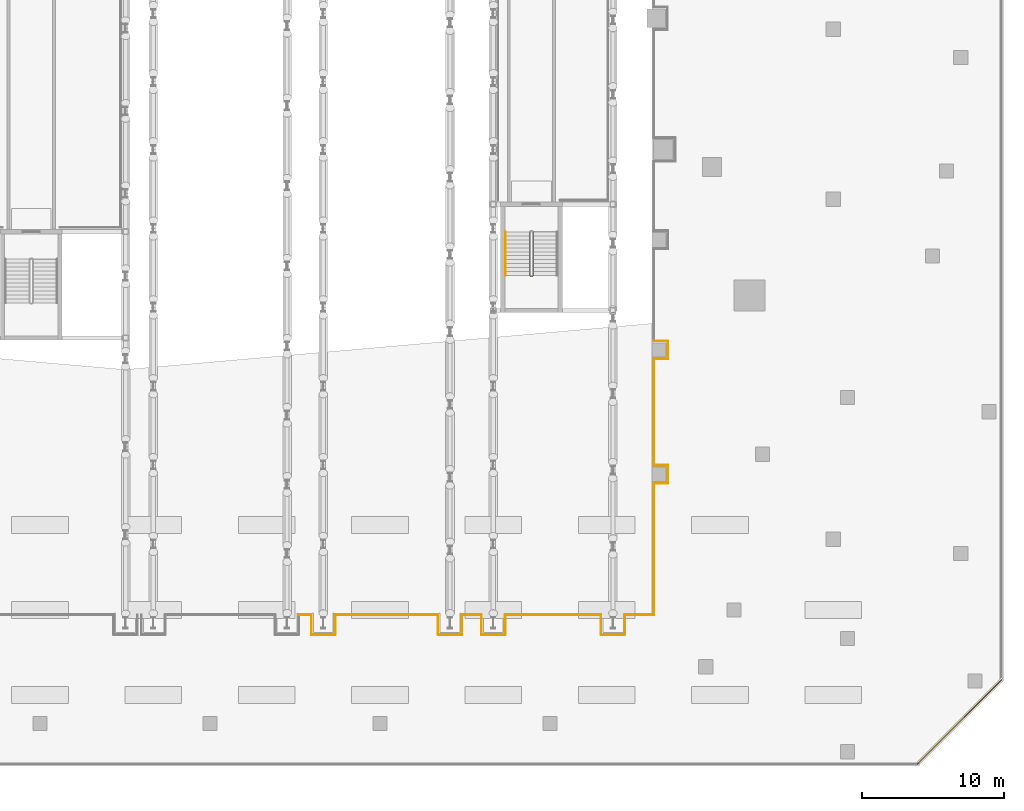
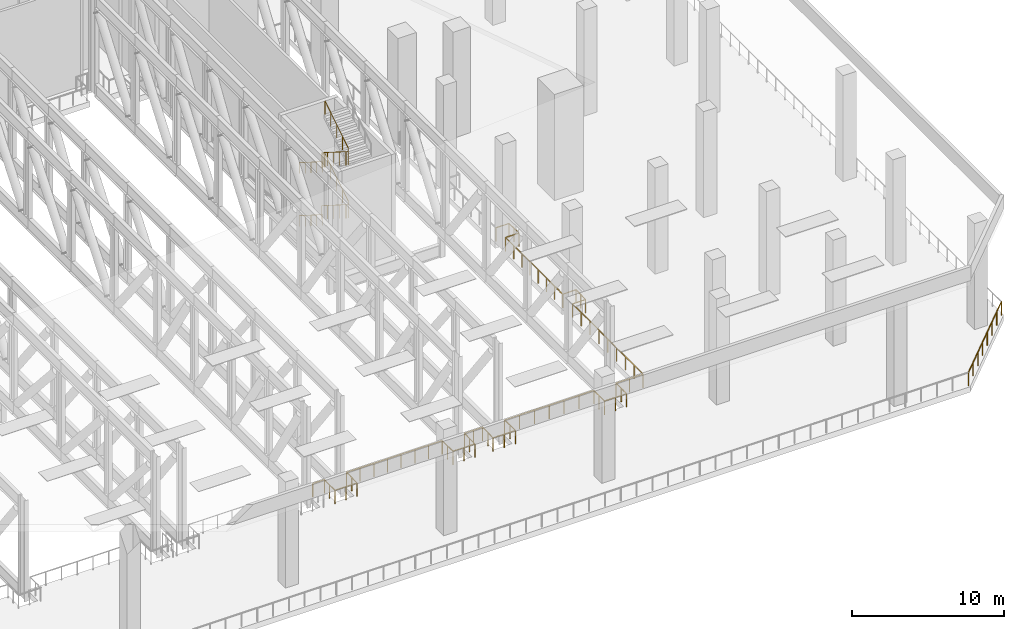
# One storey, part 26 of 33: 29 railings.
"""IFC4 building model written with IfcOpenShell, lengths in metres."""

from ifc_helpers import new_model, si_unit, direction, frame, origin, origin_2d, place, context, subcontext, project, spatial, circle, extrude, material, type_object, element, save


model = new_model("IFC4")

# Units and contexts
model_context = context("Model", 3, precision=1e-05, world=origin(), true_north=direction((0.0, 1.0)))
body_context = subcontext(model_context, "Body", "Model", "MODEL_VIEW")
ifc_project = project(units=[si_unit("LENGTHUNIT", "METRE"), si_unit("AREAUNIT", "SQUARE_METRE"), si_unit("VOLUMEUNIT", "CUBIC_METRE"), si_unit("PLANEANGLEUNIT", "RADIAN"), si_unit("MASSUNIT", "GRAM", prefix="KILO")], contexts=[model_context])

# Site, building, storey
site_placement = place(None, origin())
site = spatial("IfcSite", under=ifc_project, at=site_placement, CompositionType="ELEMENT")
building_placement = place(site_placement, origin())
building = spatial("IfcBuilding", under=site, at=building_placement, Name="Wharfspan Tower", CompositionType="ELEMENT")
storey_placement = place(building_placement, frame((0.0, 0.0, 33.0)))
storey = spatial("IfcBuildingStorey", under=building, at=storey_placement, Name="L05", CompositionType="ELEMENT", Elevation=33.0)

# Railings
ifc_material = material(Name="Steel S355J2", Category="steel")
railing_type_1 = type_object("IfcRailingType", Name="GUARD 1100 STEEL AND GLASS", PredefinedType="GUARDRAIL", material=ifc_material)
railing_1_placement = place(storey_placement, frame((107.860107, -25.941895, 0.0)))
element("IfcRailing", 1, at=railing_1_placement, inside=storey, type_object=railing_type_1, Name="Guard on the deck edge", PredefinedType="GUARDRAIL", context=body_context, shape_type="SweptSolid", body=[
    extrude(circle(Radius=0.024902, at=origin_2d()), frame((0.0, 0.0, 1.075195), z_axis=(-0.707107, -0.707107, 0.0), x_axis=(0.707107, -0.707107, 0.0)), (0.0, 0.0, 1.0), 8.369629),
    extrude(circle(Radius=0.02002, at=origin_2d()), origin(), (0.0, 0.0, 1.0), 1.050049),
    extrude(circle(Radius=0.02002, at=origin_2d()), frame((-0.845459, -0.845459, 0.0)), (0.0, 0.0, 1.0), 1.050049),
    extrude(circle(Radius=0.02002, at=origin_2d()), frame((-1.690918, -1.690918, 0.0)), (0.0, 0.0, 1.0), 1.050049),
    extrude(circle(Radius=0.02002, at=origin_2d()), frame((-2.536377, -2.536377, 0.0)), (0.0, 0.0, 1.0), 1.050049),
    extrude(circle(Radius=0.02002, at=origin_2d()), frame((-3.381836, -3.381836, 0.0)), (0.0, 0.0, 1.0), 1.050049),
    extrude(circle(Radius=0.02002, at=origin_2d()), frame((-4.227295, -4.227295, 0.0)), (0.0, 0.0, 1.0), 1.050049),
    extrude(circle(Radius=0.02002, at=origin_2d()), frame((-5.072754, -5.072754, 0.0)), (0.0, 0.0, 1.0), 1.050049),
    extrude(circle(Radius=0.02002, at=origin_2d()), frame((-5.918213, -5.918213, 0.0)), (0.0, 0.0, 1.0), 1.050049),
])
railing_2_placement = place(storey_placement, frame((58.281982, -21.340088, 0.0)))
element("IfcRailing", 2, at=railing_2_placement, inside=storey, type_object=railing_type_1, Name="Guard on the deck edge", PredefinedType="GUARDRAIL", context=body_context, shape_type="SweptSolid", body=[
    extrude(circle(Radius=0.024902, at=origin_2d()), frame((0.0, 0.0, 1.075195), z_axis=(1.0, 0.0, 0.0), x_axis=(0.0, 1.0, 0.0)), (0.0, 0.0, 1.0), 0.87793),
    extrude(circle(Radius=0.02002, at=origin_2d()), origin(), (0.0, 0.0, 1.0), 1.050049),
    extrude(circle(Radius=0.02002, at=origin_2d()), frame((0.87793, 0.0, 0.0)), (0.0, 0.0, 1.0), 1.050049),
])
railing_3_placement = place(storey_placement, frame((59.159912, -21.340088, 0.0)))
element("IfcRailing", 3, at=railing_3_placement, inside=storey, type_object=railing_type_1, Name="Guard on the deck edge", PredefinedType="GUARDRAIL", context=body_context, shape_type="SweptSolid", body=[
    extrude(circle(Radius=0.024902, at=origin_2d()), frame((0.0, 0.0, 1.075195), z_axis=(0.0, -1.0, 0.0), x_axis=(1.0, 0.0, 0.0)), (0.0, 0.0, 1.0), 1.399902),
    extrude(circle(Radius=0.02002, at=origin_2d()), origin(), (0.0, 0.0, 1.0), 1.050049),
    extrude(circle(Radius=0.02002, at=origin_2d()), frame((0.0, -0.699951, 0.0)), (0.0, 0.0, 1.0), 1.050049),
    extrude(circle(Radius=0.02002, at=origin_2d()), frame((0.0, -1.399902, 0.0)), (0.0, 0.0, 1.0), 1.050049),
])
railing_4_placement = place(storey_placement, frame((59.159912, -22.73999, 0.0)))
element("IfcRailing", 4, at=railing_4_placement, inside=storey, type_object=railing_type_1, Name="Guard on the deck edge", PredefinedType="GUARDRAIL", context=body_context, shape_type="SweptSolid", body=[
    extrude(circle(Radius=0.024902, at=origin_2d()), frame((0.0, 0.0, 1.075195), z_axis=(1.0, 0.0, 0.0), x_axis=(0.0, 1.0, 0.0)), (0.0, 0.0, 1.0), 1.680176),
    extrude(circle(Radius=0.02002, at=origin_2d()), origin(), (0.0, 0.0, 1.0), 1.050049),
    extrude(circle(Radius=0.02002, at=origin_2d()), frame((0.840088, 0.0, 0.0)), (0.0, 0.0, 1.0), 1.050049),
    extrude(circle(Radius=0.02002, at=origin_2d()), frame((1.680176, 0.0, 0.0)), (0.0, 0.0, 1.0), 1.050049),
])
railing_5_placement = place(storey_placement, frame((60.840088, -22.73999, 0.0)))
element("IfcRailing", 5, at=railing_5_placement, inside=storey, type_object=railing_type_1, Name="Guard on the deck edge", PredefinedType="GUARDRAIL", context=body_context, shape_type="SweptSolid", body=[
    extrude(circle(Radius=0.024902, at=origin_2d()), frame((0.0, 0.0, 1.075195), z_axis=(0.0, 1.0, 0.0), x_axis=(-1.0, 0.0, 0.0)), (0.0, 0.0, 1.0), 1.399902),
    extrude(circle(Radius=0.02002, at=origin_2d()), origin(), (0.0, 0.0, 1.0), 1.050049),
    extrude(circle(Radius=0.02002, at=origin_2d()), frame((0.0, 0.699951, 0.0)), (0.0, 0.0, 1.0), 1.050049),
    extrude(circle(Radius=0.02002, at=origin_2d()), frame((0.0, 1.399902, 0.0)), (0.0, 0.0, 1.0), 1.050049),
])
railing_6_placement = place(storey_placement, frame((60.840088, -21.340088, 0.0)))
element("IfcRailing", 6, at=railing_6_placement, inside=storey, type_object=railing_type_1, Name="Guard on the deck edge", PredefinedType="GUARDRAIL", context=body_context, shape_type="SweptSolid", body=[
    extrude(circle(Radius=0.024902, at=origin_2d()), frame((0.0, 0.0, 1.075195), z_axis=(1.0, 0.0, 0.0), x_axis=(0.0, 1.0, 0.0)), (0.0, 0.0, 1.0), 7.261963),
    extrude(circle(Radius=0.02002, at=origin_2d()), origin(), (0.0, 0.0, 1.0), 1.050049),
    extrude(circle(Radius=0.02002, at=origin_2d()), frame((1.037354, 0.0, 0.0)), (0.0, 0.0, 1.0), 1.050049),
    extrude(circle(Radius=0.02002, at=origin_2d()), frame((2.074951, 0.0, 0.0)), (0.0, 0.0, 1.0), 1.050049),
    extrude(circle(Radius=0.02002, at=origin_2d()), frame((3.112305, 0.0, 0.0)), (0.0, 0.0, 1.0), 1.050049),
    extrude(circle(Radius=0.02002, at=origin_2d()), frame((4.149658, 0.0, 0.0)), (0.0, 0.0, 1.0), 1.050049),
    extrude(circle(Radius=0.02002, at=origin_2d()), frame((5.187012, 0.0, 0.0)), (0.0, 0.0, 1.0), 1.050049),
    extrude(circle(Radius=0.02002, at=origin_2d()), frame((6.224609, 0.0, 0.0)), (0.0, 0.0, 1.0), 1.050049),
    extrude(circle(Radius=0.02002, at=origin_2d()), frame((7.261963, 0.0, 0.0)), (0.0, 0.0, 1.0), 1.050049),
])
railing_7_placement = place(storey_placement, frame((68.102051, -21.340088, 0.0)))
element("IfcRailing", 7, at=railing_7_placement, inside=storey, type_object=railing_type_1, Name="Guard on the deck edge", PredefinedType="GUARDRAIL", context=body_context, shape_type="SweptSolid", body=[
    extrude(circle(Radius=0.024902, at=origin_2d()), frame((0.0, 0.0, 1.075195), z_axis=(0.0, -1.0, 0.0), x_axis=(1.0, 0.0, 0.0)), (0.0, 0.0, 1.0), 1.399902),
    extrude(circle(Radius=0.02002, at=origin_2d()), origin(), (0.0, 0.0, 1.0), 1.050049),
    extrude(circle(Radius=0.02002, at=origin_2d()), frame((0.0, -0.699951, 0.0)), (0.0, 0.0, 1.0), 1.050049),
    extrude(circle(Radius=0.02002, at=origin_2d()), frame((0.0, -1.399902, 0.0)), (0.0, 0.0, 1.0), 1.050049),
])
railing_8_placement = place(storey_placement, frame((68.102051, -22.73999, 0.0)))
element("IfcRailing", 8, at=railing_8_placement, inside=storey, type_object=railing_type_1, Name="Guard on the deck edge", PredefinedType="GUARDRAIL", context=body_context, shape_type="SweptSolid", body=[
    extrude(circle(Radius=0.024902, at=origin_2d()), frame((0.0, 0.0, 1.075195), z_axis=(1.0, 0.0, 0.0), x_axis=(0.0, 1.0, 0.0)), (0.0, 0.0, 1.0), 1.679932),
    extrude(circle(Radius=0.02002, at=origin_2d()), origin(), (0.0, 0.0, 1.0), 1.050049),
    extrude(circle(Radius=0.02002, at=origin_2d()), frame((0.839844, 0.0, 0.0)), (0.0, 0.0, 1.0), 1.050049),
    extrude(circle(Radius=0.02002, at=origin_2d()), frame((1.679932, 0.0, 0.0)), (0.0, 0.0, 1.0), 1.050049),
])
railing_9_placement = place(storey_placement, frame((69.781982, -22.73999, 0.0)))
element("IfcRailing", 9, at=railing_9_placement, inside=storey, type_object=railing_type_1, Name="Guard on the deck edge", PredefinedType="GUARDRAIL", context=body_context, shape_type="SweptSolid", body=[
    extrude(circle(Radius=0.024902, at=origin_2d()), frame((0.0, 0.0, 1.075195), z_axis=(0.0, 1.0, 0.0), x_axis=(-1.0, 0.0, 0.0)), (0.0, 0.0, 1.0), 1.399902),
    extrude(circle(Radius=0.02002, at=origin_2d()), origin(), (0.0, 0.0, 1.0), 1.050049),
    extrude(circle(Radius=0.02002, at=origin_2d()), frame((0.0, 0.699951, 0.0)), (0.0, 0.0, 1.0), 1.050049),
    extrude(circle(Radius=0.02002, at=origin_2d()), frame((0.0, 1.399902, 0.0)), (0.0, 0.0, 1.0), 1.050049),
])
railing_10_placement = place(storey_placement, frame((69.781982, -21.340088, 0.0)))
element("IfcRailing", 10, at=railing_10_placement, inside=storey, type_object=railing_type_1, Name="Guard on the deck edge", PredefinedType="GUARDRAIL", context=body_context, shape_type="SweptSolid", body=[
    extrude(circle(Radius=0.024902, at=origin_2d()), frame((0.0, 0.0, 1.075195), z_axis=(1.0, 0.0, 0.0), x_axis=(0.0, 1.0, 0.0)), (0.0, 0.0, 1.0), 1.37793),
    extrude(circle(Radius=0.02002, at=origin_2d()), origin(), (0.0, 0.0, 1.0), 1.050049),
    extrude(circle(Radius=0.02002, at=origin_2d()), frame((0.688965, 0.0, 0.0)), (0.0, 0.0, 1.0), 1.050049),
    extrude(circle(Radius=0.02002, at=origin_2d()), frame((1.37793, 0.0, 0.0)), (0.0, 0.0, 1.0), 1.050049),
])
railing_11_placement = place(storey_placement, frame((71.159912, -21.340088, 0.0)))
element("IfcRailing", 11, at=railing_11_placement, inside=storey, type_object=railing_type_1, Name="Guard on the deck edge", PredefinedType="GUARDRAIL", context=body_context, shape_type="SweptSolid", body=[
    extrude(circle(Radius=0.024902, at=origin_2d()), frame((0.0, 0.0, 1.075195), z_axis=(0.0, -1.0, 0.0), x_axis=(1.0, 0.0, 0.0)), (0.0, 0.0, 1.0), 1.399902),
    extrude(circle(Radius=0.02002, at=origin_2d()), origin(), (0.0, 0.0, 1.0), 1.050049),
    extrude(circle(Radius=0.02002, at=origin_2d()), frame((0.0, -0.699951, 0.0)), (0.0, 0.0, 1.0), 1.050049),
    extrude(circle(Radius=0.02002, at=origin_2d()), frame((0.0, -1.399902, 0.0)), (0.0, 0.0, 1.0), 1.050049),
])
railing_12_placement = place(storey_placement, frame((71.159912, -22.73999, 0.0)))
element("IfcRailing", 12, at=railing_12_placement, inside=storey, type_object=railing_type_1, Name="Guard on the deck edge", PredefinedType="GUARDRAIL", context=body_context, shape_type="SweptSolid", body=[
    extrude(circle(Radius=0.024902, at=origin_2d()), frame((0.0, 0.0, 1.075195), z_axis=(1.0, 0.0, 0.0), x_axis=(0.0, 1.0, 0.0)), (0.0, 0.0, 1.0), 1.680176),
    extrude(circle(Radius=0.02002, at=origin_2d()), origin(), (0.0, 0.0, 1.0), 1.050049),
    extrude(circle(Radius=0.02002, at=origin_2d()), frame((0.840088, 0.0, 0.0)), (0.0, 0.0, 1.0), 1.050049),
    extrude(circle(Radius=0.02002, at=origin_2d()), frame((1.680176, 0.0, 0.0)), (0.0, 0.0, 1.0), 1.050049),
])
railing_13_placement = place(storey_placement, frame((72.840088, -22.73999, 0.0)))
element("IfcRailing", 13, at=railing_13_placement, inside=storey, type_object=railing_type_1, Name="Guard on the deck edge", PredefinedType="GUARDRAIL", context=body_context, shape_type="SweptSolid", body=[
    extrude(circle(Radius=0.024902, at=origin_2d()), frame((0.0, 0.0, 1.075195), z_axis=(0.0, 1.0, 0.0), x_axis=(-1.0, 0.0, 0.0)), (0.0, 0.0, 1.0), 1.399902),
    extrude(circle(Radius=0.02002, at=origin_2d()), origin(), (0.0, 0.0, 1.0), 1.050049),
    extrude(circle(Radius=0.02002, at=origin_2d()), frame((0.0, 0.699951, 0.0)), (0.0, 0.0, 1.0), 1.050049),
    extrude(circle(Radius=0.02002, at=origin_2d()), frame((0.0, 1.399902, 0.0)), (0.0, 0.0, 1.0), 1.050049),
])
railing_14_placement = place(storey_placement, frame((72.840088, -21.340088, 0.0)))
element("IfcRailing", 14, at=railing_14_placement, inside=storey, type_object=railing_type_1, Name="Guard on the deck edge", PredefinedType="GUARDRAIL", context=body_context, shape_type="SweptSolid", body=[
    extrude(circle(Radius=0.024902, at=origin_2d()), frame((0.0, 0.0, 1.075195), z_axis=(1.0, 0.0, 0.0), x_axis=(0.0, 1.0, 0.0)), (0.0, 0.0, 1.0), 6.761963),
    extrude(circle(Radius=0.02002, at=origin_2d()), origin(), (0.0, 0.0, 1.0), 1.050049),
    extrude(circle(Radius=0.02002, at=origin_2d()), frame((1.126953, 0.0, 0.0)), (0.0, 0.0, 1.0), 1.050049),
    extrude(circle(Radius=0.02002, at=origin_2d()), frame((2.253906, 0.0, 0.0)), (0.0, 0.0, 1.0), 1.050049),
    extrude(circle(Radius=0.02002, at=origin_2d()), frame((3.380859, 0.0, 0.0)), (0.0, 0.0, 1.0), 1.050049),
    extrude(circle(Radius=0.02002, at=origin_2d()), frame((4.508057, 0.0, 0.0)), (0.0, 0.0, 1.0), 1.050049),
    extrude(circle(Radius=0.02002, at=origin_2d()), frame((5.63501, 0.0, 0.0)), (0.0, 0.0, 1.0), 1.050049),
    extrude(circle(Radius=0.02002, at=origin_2d()), frame((6.761963, 0.0, 0.0)), (0.0, 0.0, 1.0), 1.050049),
])
railing_15_placement = place(storey_placement, frame((79.602051, -21.340088, 0.0)))
element("IfcRailing", 15, at=railing_15_placement, inside=storey, type_object=railing_type_1, Name="Guard on the deck edge", PredefinedType="GUARDRAIL", context=body_context, shape_type="SweptSolid", body=[
    extrude(circle(Radius=0.024902, at=origin_2d()), frame((0.0, 0.0, 1.075195), z_axis=(0.0, -1.0, 0.0), x_axis=(1.0, 0.0, 0.0)), (0.0, 0.0, 1.0), 1.399902),
    extrude(circle(Radius=0.02002, at=origin_2d()), origin(), (0.0, 0.0, 1.0), 1.050049),
    extrude(circle(Radius=0.02002, at=origin_2d()), frame((0.0, -0.699951, 0.0)), (0.0, 0.0, 1.0), 1.050049),
    extrude(circle(Radius=0.02002, at=origin_2d()), frame((0.0, -1.399902, 0.0)), (0.0, 0.0, 1.0), 1.050049),
])
railing_16_placement = place(storey_placement, frame((79.602051, -22.73999, 0.0)))
element("IfcRailing", 16, at=railing_16_placement, inside=storey, type_object=railing_type_1, Name="Guard on the deck edge", PredefinedType="GUARDRAIL", context=body_context, shape_type="SweptSolid", body=[
    extrude(circle(Radius=0.024902, at=origin_2d()), frame((0.0, 0.0, 1.075195), z_axis=(1.0, 0.0, 0.0), x_axis=(0.0, 1.0, 0.0)), (0.0, 0.0, 1.0), 1.679932),
    extrude(circle(Radius=0.02002, at=origin_2d()), origin(), (0.0, 0.0, 1.0), 1.050049),
    extrude(circle(Radius=0.02002, at=origin_2d()), frame((0.839844, 0.0, 0.0)), (0.0, 0.0, 1.0), 1.050049),
    extrude(circle(Radius=0.02002, at=origin_2d()), frame((1.679932, 0.0, 0.0)), (0.0, 0.0, 1.0), 1.050049),
])
railing_17_placement = place(storey_placement, frame((81.281982, -22.73999, 0.0)))
element("IfcRailing", 17, at=railing_17_placement, inside=storey, type_object=railing_type_1, Name="Guard on the deck edge", PredefinedType="GUARDRAIL", context=body_context, shape_type="SweptSolid", body=[
    extrude(circle(Radius=0.024902, at=origin_2d()), frame((0.0, 0.0, 1.075195), z_axis=(0.0, 1.0, 0.0), x_axis=(-1.0, 0.0, 0.0)), (0.0, 0.0, 1.0), 1.399902),
    extrude(circle(Radius=0.02002, at=origin_2d()), origin(), (0.0, 0.0, 1.0), 1.050049),
    extrude(circle(Radius=0.02002, at=origin_2d()), frame((0.0, 0.699951, 0.0)), (0.0, 0.0, 1.0), 1.050049),
    extrude(circle(Radius=0.02002, at=origin_2d()), frame((0.0, 1.399902, 0.0)), (0.0, 0.0, 1.0), 1.050049),
])
railing_18_placement = place(storey_placement, frame((81.281982, -21.340088, 0.0)))
element("IfcRailing", 18, at=railing_18_placement, inside=storey, type_object=railing_type_1, Name="Guard on the deck edge", PredefinedType="GUARDRAIL", context=body_context, shape_type="SweptSolid", body=[
    extrude(circle(Radius=0.024902, at=origin_2d()), frame((0.0, 0.0, 1.075195), z_axis=(1.0, 0.0, 0.0), x_axis=(0.0, 1.0, 0.0)), (0.0, 0.0, 1.0), 2.058105),
    extrude(circle(Radius=0.02002, at=origin_2d()), origin(), (0.0, 0.0, 1.0), 1.050049),
    extrude(circle(Radius=0.02002, at=origin_2d()), frame((1.029053, 0.0, 0.0)), (0.0, 0.0, 1.0), 1.050049),
    extrude(circle(Radius=0.02002, at=origin_2d()), frame((2.058105, 0.0, 0.0)), (0.0, 0.0, 1.0), 1.050049),
])
railing_19_placement = place(storey_placement, frame((83.340088, -21.340088, 0.0)))
element("IfcRailing", 19, at=railing_19_placement, inside=storey, type_object=railing_type_1, Name="Guard on the deck edge", PredefinedType="GUARDRAIL", context=body_context, shape_type="SweptSolid", body=[
    extrude(circle(Radius=0.024902, at=origin_2d()), frame((0.0, 0.0, 1.075195), z_axis=(0.0, 1.0, 0.0), x_axis=(-1.0, 0.0, 0.0)), (0.0, 0.0, 1.0), 9.280029),
    extrude(circle(Radius=0.02002, at=origin_2d()), origin(), (0.0, 0.0, 1.0), 1.050049),
    extrude(circle(Radius=0.02002, at=origin_2d()), frame((0.0, 1.159912, 0.0)), (0.0, 0.0, 1.0), 1.050049),
    extrude(circle(Radius=0.02002, at=origin_2d()), frame((0.0, 2.320068, 0.0)), (0.0, 0.0, 1.0), 1.050049),
    extrude(circle(Radius=0.02002, at=origin_2d()), frame((0.0, 3.47998, 0.0)), (0.0, 0.0, 1.0), 1.050049),
    extrude(circle(Radius=0.02002, at=origin_2d()), frame((0.0, 4.640137, 0.0)), (0.0, 0.0, 1.0), 1.050049),
    extrude(circle(Radius=0.02002, at=origin_2d()), frame((0.0, 5.800049, 0.0)), (0.0, 0.0, 1.0), 1.050049),
    extrude(circle(Radius=0.02002, at=origin_2d()), frame((0.0, 6.959961, 0.0)), (0.0, 0.0, 1.0), 1.050049),
    extrude(circle(Radius=0.02002, at=origin_2d()), frame((0.0, 8.120117, 0.0)), (0.0, 0.0, 1.0), 1.050049),
    extrude(circle(Radius=0.02002, at=origin_2d()), frame((0.0, 9.280029, 0.0)), (0.0, 0.0, 1.0), 1.050049),
])
railing_20_placement = place(storey_placement, frame((83.340088, -12.060059, 0.0)))
element("IfcRailing", 20, at=railing_20_placement, inside=storey, type_object=railing_type_1, Name="Guard on the deck edge", PredefinedType="GUARDRAIL", context=body_context, shape_type="SweptSolid", body=[
    extrude(circle(Radius=0.024902, at=origin_2d()), frame((0.0, 0.0, 1.075195), z_axis=(1.0, 0.0, 0.0), x_axis=(0.0, 1.0, 0.0)), (0.0, 0.0, 1.0), 1.0),
    extrude(circle(Radius=0.02002, at=origin_2d()), origin(), (0.0, 0.0, 1.0), 1.050049),
    extrude(circle(Radius=0.02002, at=origin_2d()), frame((1.0, 0.0, 0.0)), (0.0, 0.0, 1.0), 1.050049),
])
railing_21_placement = place(storey_placement, frame((84.340088, -12.060059, 0.0)))
element("IfcRailing", 21, at=railing_21_placement, inside=storey, type_object=railing_type_1, Name="Guard on the deck edge", PredefinedType="GUARDRAIL", context=body_context, shape_type="SweptSolid", body=[
    extrude(circle(Radius=0.024902, at=origin_2d()), frame((0.0, 0.0, 1.075195), z_axis=(0.0, 1.0, 0.0), x_axis=(-1.0, 0.0, 0.0)), (0.0, 0.0, 1.0), 1.280029),
    extrude(circle(Radius=0.02002, at=origin_2d()), origin(), (0.0, 0.0, 1.0), 1.050049),
    extrude(circle(Radius=0.02002, at=origin_2d()), frame((0.0, 0.640137, 0.0)), (0.0, 0.0, 1.0), 1.050049),
    extrude(circle(Radius=0.02002, at=origin_2d()), frame((0.0, 1.280029, 0.0)), (0.0, 0.0, 1.0), 1.050049),
])
railing_22_placement = place(storey_placement, frame((84.340088, -10.780029, 0.0)))
element("IfcRailing", 22, at=railing_22_placement, inside=storey, type_object=railing_type_1, Name="Guard on the deck edge", PredefinedType="GUARDRAIL", context=body_context, shape_type="SweptSolid", body=[
    extrude(circle(Radius=0.024902, at=origin_2d()), frame((0.0, 0.0, 1.075195), z_axis=(-1.0, 0.0, 0.0), x_axis=(0.0, -1.0, 0.0)), (0.0, 0.0, 1.0), 1.0),
    extrude(circle(Radius=0.02002, at=origin_2d()), origin(), (0.0, 0.0, 1.0), 1.050049),
    extrude(circle(Radius=0.02002, at=origin_2d()), frame((-1.0, 0.0, 0.0)), (0.0, 0.0, 1.0), 1.050049),
])
railing_23_placement = place(storey_placement, frame((83.340088, -10.780029, 0.0)))
element("IfcRailing", 23, at=railing_23_placement, inside=storey, type_object=railing_type_1, Name="Guard on the deck edge", PredefinedType="GUARDRAIL", context=body_context, shape_type="SweptSolid", body=[
    extrude(circle(Radius=0.024902, at=origin_2d()), frame((0.0, 0.0, 1.075195), z_axis=(0.0, 1.0, 0.0), x_axis=(-1.0, 0.0, 0.0)), (0.0, 0.0, 1.0), 7.5),
    extrude(circle(Radius=0.02002, at=origin_2d()), origin(), (0.0, 0.0, 1.0), 1.050049),
    extrude(circle(Radius=0.02002, at=origin_2d()), frame((0.0, 1.071533, 0.0)), (0.0, 0.0, 1.0), 1.050049),
    extrude(circle(Radius=0.02002, at=origin_2d()), frame((0.0, 2.142822, 0.0)), (0.0, 0.0, 1.0), 1.050049),
    extrude(circle(Radius=0.02002, at=origin_2d()), frame((0.0, 3.214355, 0.0)), (0.0, 0.0, 1.0), 1.050049),
    extrude(circle(Radius=0.02002, at=origin_2d()), frame((0.0, 4.285645, 0.0)), (0.0, 0.0, 1.0), 1.050049),
    extrude(circle(Radius=0.02002, at=origin_2d()), frame((0.0, 5.357178, 0.0)), (0.0, 0.0, 1.0), 1.050049),
    extrude(circle(Radius=0.02002, at=origin_2d()), frame((0.0, 6.428467, 0.0)), (0.0, 0.0, 1.0), 1.050049),
    extrude(circle(Radius=0.02002, at=origin_2d()), frame((0.0, 7.5, 0.0)), (0.0, 0.0, 1.0), 1.050049),
])
railing_24_placement = place(storey_placement, frame((83.340088, -3.280029, 0.0)))
element("IfcRailing", 24, at=railing_24_placement, inside=storey, type_object=railing_type_1, Name="Guard on the deck edge", PredefinedType="GUARDRAIL", context=body_context, shape_type="SweptSolid", body=[
    extrude(circle(Radius=0.024902, at=origin_2d()), frame((0.0, 0.0, 1.075195), z_axis=(1.0, 0.0, 0.0), x_axis=(0.0, 1.0, 0.0)), (0.0, 0.0, 1.0), 1.0),
    extrude(circle(Radius=0.02002, at=origin_2d()), origin(), (0.0, 0.0, 1.0), 1.050049),
    extrude(circle(Radius=0.02002, at=origin_2d()), frame((1.0, 0.0, 0.0)), (0.0, 0.0, 1.0), 1.050049),
])
railing_25_placement = place(storey_placement, frame((84.340088, -3.280029, 0.0)))
element("IfcRailing", 25, at=railing_25_placement, inside=storey, type_object=railing_type_1, Name="Guard on the deck edge", PredefinedType="GUARDRAIL", context=body_context, shape_type="SweptSolid", body=[
    extrude(circle(Radius=0.024902, at=origin_2d()), frame((0.0, 0.0, 1.075195), z_axis=(0.0, 1.0, 0.0), x_axis=(-1.0, 0.0, 0.0)), (0.0, 0.0, 1.0), 1.280029),
    extrude(circle(Radius=0.02002, at=origin_2d()), origin(), (0.0, 0.0, 1.0), 1.050049),
    extrude(circle(Radius=0.02002, at=origin_2d()), frame((0.0, 0.640137, 0.0)), (0.0, 0.0, 1.0), 1.050049),
    extrude(circle(Radius=0.02002, at=origin_2d()), frame((0.0, 1.280029, 0.0)), (0.0, 0.0, 1.0), 1.050049),
])
railing_26_placement = place(storey_placement, frame((84.340088, -2.0, 0.0)))
element("IfcRailing", 26, at=railing_26_placement, inside=storey, type_object=railing_type_1, Name="Guard on the deck edge", PredefinedType="GUARDRAIL", context=body_context, shape_type="SweptSolid", body=[
    extrude(circle(Radius=0.024902, at=origin_2d()), frame((0.0, 0.0, 1.075195), z_axis=(-1.0, 0.0, 0.0), x_axis=(0.0, -1.0, 0.0)), (0.0, 0.0, 1.0), 1.0),
    extrude(circle(Radius=0.02002, at=origin_2d()), origin(), (0.0, 0.0, 1.0), 1.050049),
    extrude(circle(Radius=0.02002, at=origin_2d()), frame((-1.0, 0.0, 0.0)), (0.0, 0.0, 1.0), 1.050049),
])
railing_type_2 = type_object("IfcRailingType", Name="Stair guard 1100", PredefinedType="GUARDRAIL", material=ifc_material)
railing_27_placement = place(storey_placement, frame((74.567383, 5.691895, 0.177002)))
element("IfcRailing", 27, at=railing_27_placement, inside=storey, type_object=railing_type_2, Name="L05 ST5 stair guard 1", PredefinedType="GUARDRAIL", context=body_context, shape_type="SweptSolid", body=[
    extrude(circle(Radius=0.023926, at=origin_2d()), frame((0.0, 0.0, 1.076172), z_axis=(0.0, -0.845137, 0.53455), x_axis=(1.0, 0.0, 0.0)), (0.0, 0.0, 1.0), 3.644287),
    extrude(circle(Radius=0.023926, at=origin_2d()), frame((0.0, -3.079834, 3.023926), z_axis=(0.707107, -0.707107, 0.0), x_axis=(0.707107, 0.707107, 0.0)), (0.0, 0.0, 1.0), 0.070801),
    extrude(circle(Radius=0.023926, at=origin_2d()), frame((0.050049, -3.129883, 3.023926), z_axis=(1.0, 0.0, 0.0), x_axis=(0.0, 1.0, 0.0)), (0.0, 0.0, 1.0), 0.150146),
    extrude(circle(Radius=0.023926, at=origin_2d()), frame((0.200195, -3.129883, 3.023926), z_axis=(0.261353, 0.262634, 0.928826), x_axis=(-0.708838, 0.705377, 1e-06)), (0.0, 0.0, 1.0), 0.190674),
    extrude(circle(Radius=0.023926, at=origin_2d()), frame((0.25, -3.079834, 3.201172), z_axis=(0.0, 0.845137, 0.53455), x_axis=(-1.0, 0.0, 0.0)), (0.0, 0.0, 1.0), 3.644287),
    extrude(circle(Radius=0.023926, at=origin_2d()), frame((0.25, 0.0, 5.148926), z_axis=(-0.970073, 0.242814, 0.0), x_axis=(-0.242814, -0.970073, 0.0)), (0.0, 0.0, 1.0), 0.206055),
    extrude(circle(Radius=0.023926, at=origin_2d()), frame((0.050049, 0.050049, 5.148926), z_axis=(1.0, 0.0, 0.0), x_axis=(0.0, 1.0, 0.0)), (0.0, 0.0, 1.0), 0.150146),
    extrude(circle(Radius=0.023926, at=origin_2d()), frame((0.200195, 0.050049, 5.148926), z_axis=(-0.736367, -0.184092, 0.651056), x_axis=(0.242538, -0.97014, 3e-06)), (0.0, 0.0, 1.0), 0.271973),
    extrude(circle(Radius=0.023926, at=origin_2d()), frame((0.0, 0.0, 5.326172), z_axis=(0.0, -0.845137, 0.53455), x_axis=(1.0, 0.0, 0.0)), (0.0, 0.0, 1.0), 3.644287),
    extrude(circle(Radius=0.023926, at=origin_2d()), frame((0.0, -3.079834, 7.273926), z_axis=(0.707107, -0.707107, 0.0), x_axis=(0.707107, 0.707107, 0.0)), (0.0, 0.0, 1.0), 0.070801),
    extrude(circle(Radius=0.023926, at=origin_2d()), frame((0.050049, -3.129883, 7.273926), z_axis=(1.0, 0.0, 0.0), x_axis=(0.0, 1.0, 0.0)), (0.0, 0.0, 1.0), 0.150146),
    extrude(circle(Radius=0.023926, at=origin_2d()), frame((0.200195, -3.129883, 7.273926), z_axis=(0.261353, 0.262634, 0.928826), x_axis=(-0.708838, 0.705377, 1e-06)), (0.0, 0.0, 1.0), 0.190674),
    extrude(circle(Radius=0.023926, at=origin_2d()), frame((0.25, -3.079834, 7.451172), z_axis=(0.0, 0.845137, 0.53455), x_axis=(-1.0, 0.0, 0.0)), (0.0, 0.0, 1.0), 3.644287),
    extrude(circle(Radius=0.020996, at=origin_2d()), origin(), (0.0, 0.0, 1.0), 1.052002),
    extrude(circle(Radius=0.020996, at=origin_2d()), frame((0.0, -0.77002, 0.487061)), (0.0, 0.0, 1.0), 1.052002),
    extrude(circle(Radius=0.020996, at=origin_2d()), frame((0.0, -1.540039, 0.974121)), (0.0, 0.0, 1.0), 1.052002),
    extrude(circle(Radius=0.020996, at=origin_2d()), frame((0.0, -2.309814, 1.460938)), (0.0, 0.0, 1.0), 1.052002),
    extrude(circle(Radius=0.020996, at=origin_2d()), frame((0.0, -3.079834, 1.947998)), (0.0, 0.0, 1.0), 1.052002),
    extrude(circle(Radius=0.020996, at=origin_2d()), frame((0.050049, -3.129883, 1.947998)), (0.0, 0.0, 1.0), 1.052002),
    extrude(circle(Radius=0.020996, at=origin_2d()), frame((0.200195, -3.129883, 1.947998)), (0.0, 0.0, 1.0), 1.052002),
    extrude(circle(Radius=0.020996, at=origin_2d()), frame((0.25, -3.079834, 2.125)), (0.0, 0.0, 1.0), 1.052002),
    extrude(circle(Radius=0.020996, at=origin_2d()), frame((0.25, -2.309814, 2.612061)), (0.0, 0.0, 1.0), 1.052002),
    extrude(circle(Radius=0.020996, at=origin_2d()), frame((0.25, -1.540039, 3.099121)), (0.0, 0.0, 1.0), 1.052002),
    extrude(circle(Radius=0.020996, at=origin_2d()), frame((0.25, -0.77002, 3.585938)), (0.0, 0.0, 1.0), 1.052002),
    extrude(circle(Radius=0.020996, at=origin_2d()), frame((0.25, 0.0, 4.072998)), (0.0, 0.0, 1.0), 1.052002),
    extrude(circle(Radius=0.020996, at=origin_2d()), frame((0.050049, 0.050049, 4.072998)), (0.0, 0.0, 1.0), 1.052002),
    extrude(circle(Radius=0.020996, at=origin_2d()), frame((0.200195, 0.050049, 4.072998)), (0.0, 0.0, 1.0), 1.052002),
    extrude(circle(Radius=0.020996, at=origin_2d()), frame((0.0, 0.0, 4.25)), (0.0, 0.0, 1.0), 1.052002),
    extrude(circle(Radius=0.020996, at=origin_2d()), frame((0.0, -0.77002, 4.737061)), (0.0, 0.0, 1.0), 1.052002),
    extrude(circle(Radius=0.020996, at=origin_2d()), frame((0.0, -1.540039, 5.224121)), (0.0, 0.0, 1.0), 1.052002),
    extrude(circle(Radius=0.020996, at=origin_2d()), frame((0.0, -2.309814, 5.710938)), (0.0, 0.0, 1.0), 1.052002),
    extrude(circle(Radius=0.020996, at=origin_2d()), frame((0.0, -3.079834, 6.197998)), (0.0, 0.0, 1.0), 1.052002),
    extrude(circle(Radius=0.020996, at=origin_2d()), frame((0.050049, -3.129883, 6.197998)), (0.0, 0.0, 1.0), 1.052002),
    extrude(circle(Radius=0.020996, at=origin_2d()), frame((0.200195, -3.129883, 6.197998)), (0.0, 0.0, 1.0), 1.052002),
    extrude(circle(Radius=0.020996, at=origin_2d()), frame((0.25, -3.079834, 6.375)), (0.0, 0.0, 1.0), 1.052002),
    extrude(circle(Radius=0.020996, at=origin_2d()), frame((0.25, -2.309814, 6.862061)), (0.0, 0.0, 1.0), 1.052002),
    extrude(circle(Radius=0.020996, at=origin_2d()), frame((0.25, -1.540039, 7.349121)), (0.0, 0.0, 1.0), 1.052002),
    extrude(circle(Radius=0.020996, at=origin_2d()), frame((0.25, -0.77002, 7.835938)), (0.0, 0.0, 1.0), 1.052002),
    extrude(circle(Radius=0.020996, at=origin_2d()), frame((0.25, 0.0, 8.322998)), (0.0, 0.0, 1.0), 1.052002),
])
railing_type_3 = type_object("IfcRailingType", Name="Stair handrail 900", PredefinedType="HANDRAIL", material=ifc_material)
for number, where, name in (
    (28, (72.867432, 5.691895, 0.177002), "L05 ST5 stair handrail 1"),
    (29, (72.867432, 5.691895, 4.427002), "L05 ST5 stair handrail 3"),
):
    element("IfcRailing", number, at=place(storey_placement, frame(where)), inside=storey, type_object=railing_type_3, Name=name, PredefinedType="HANDRAIL", context=body_context, shape_type="SweptSolid", body=[
        extrude(circle(Radius=0.023926, at=origin_2d()), frame((0.0, 0.0, 0.875977), z_axis=(0.0, -0.845137, 0.53455), x_axis=(1.0, 0.0, 0.0)), (0.0, 0.0, 1.0), 3.644287),
        extrude(circle(Radius=0.020996, at=origin_2d()), origin(), (0.0, 0.0, 1.0), 0.851807),
        extrude(circle(Radius=0.020996, at=origin_2d()), frame((0.0, -0.77002, 0.487061)), (0.0, 0.0, 1.0), 0.851807),
        extrude(circle(Radius=0.020996, at=origin_2d()), frame((0.0, -1.540039, 0.974121)), (0.0, 0.0, 1.0), 0.851807),
        extrude(circle(Radius=0.020996, at=origin_2d()), frame((0.0, -2.309814, 1.460938)), (0.0, 0.0, 1.0), 0.851807),
        extrude(circle(Radius=0.020996, at=origin_2d()), frame((0.0, -3.079834, 1.947998)), (0.0, 0.0, 1.0), 0.851807),
    ])

save(model, "model.ifc")
